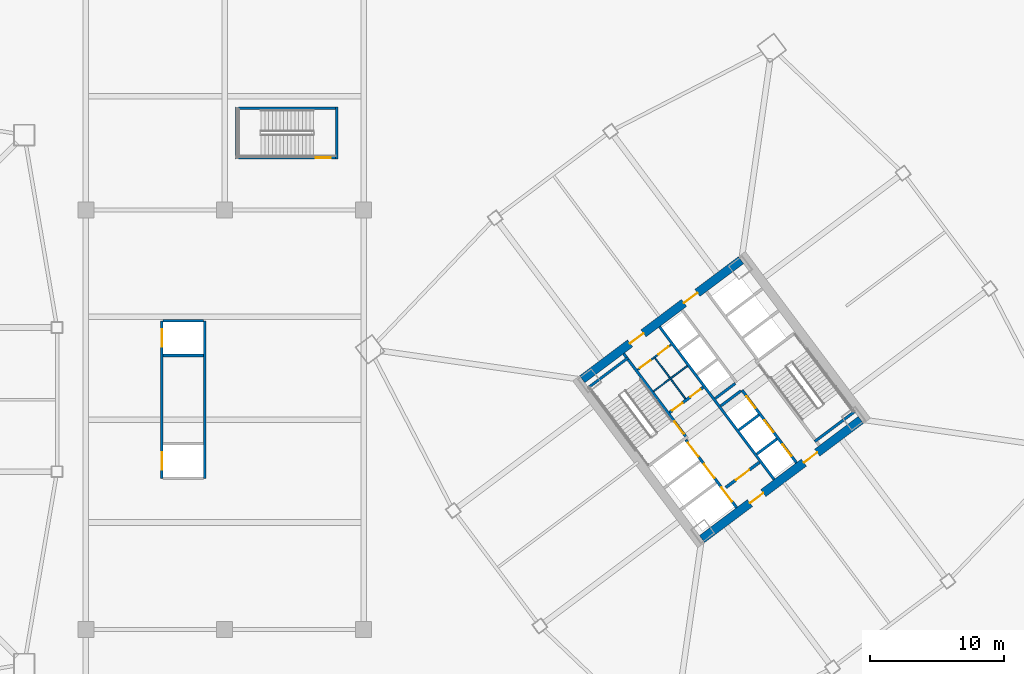
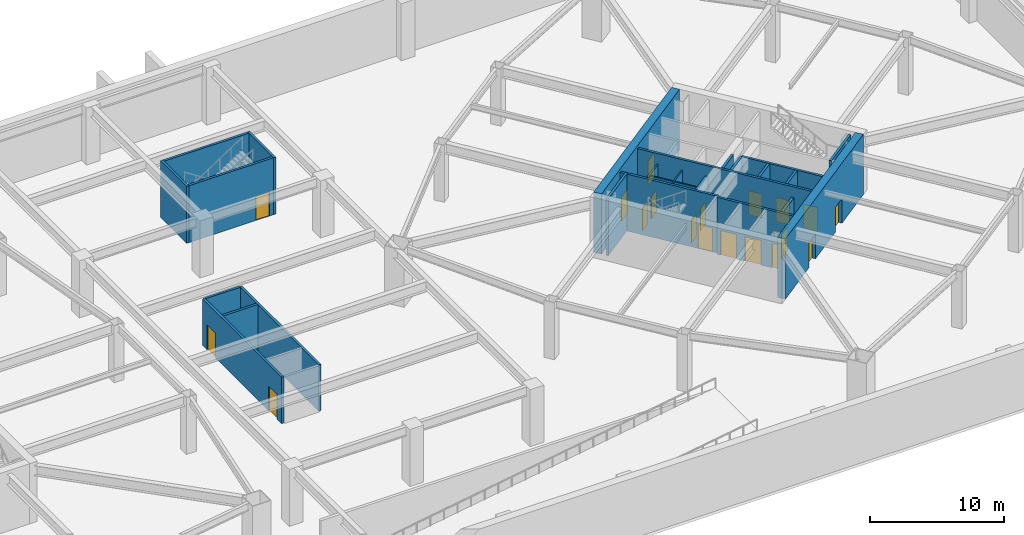
# One storey, part 10 of 17: 25 walls, 19 doors, 19 openings.
"""IFC4 building model written with IfcOpenShell, lengths in metres."""

from ifc_helpers import new_model, si_unit, direction, frame, frame_2d, origin, place, context, subcontext, project, spatial, rectangle, extrude, material, layer, layer_set, type_object, element, fill, save


model = new_model("IFC4")

# Units and contexts
model_context = context("Model", 3, precision=1e-05, world=origin(), true_north=direction((0.0, 1.0)))
body_context = subcontext(model_context, "Body", "Model", "MODEL_VIEW")
ifc_project = project(units=[si_unit("LENGTHUNIT", "METRE"), si_unit("AREAUNIT", "SQUARE_METRE"), si_unit("VOLUMEUNIT", "CUBIC_METRE"), si_unit("PLANEANGLEUNIT", "RADIAN"), si_unit("MASSUNIT", "GRAM", prefix="KILO")], contexts=[model_context])

# Site, building, storey
site_placement = place(None, origin())
site = spatial("IfcSite", under=ifc_project, at=site_placement, CompositionType="ELEMENT")
building_placement = place(site_placement, origin())
building = spatial("IfcBuilding", under=site, at=building_placement, Name="Tashvorn Skyway Center", CompositionType="ELEMENT")
storey_placement = place(building_placement, frame((0.0, 0.0, -5.5)))
storey = spatial("IfcBuildingStorey", under=building, at=storey_placement, Name="B1", CompositionType="ELEMENT", Elevation=-5.5)

# Wall, openings, doors
ifc_material_1 = material(Name="Concrete C60/75", Category="concrete")
ifc_layer_1 = layer(ifc_material_1, 0.64990234375)
ifc_layer_set_1 = layer_set([ifc_layer_1], Name="Concrete C60/75")
wall_type_1 = type_object("IfcWallType", Name="WALL-CORE-650", PredefinedType="SHEAR", material=ifc_layer_set_1)
wall_1_placement = place(storey_placement, frame((124.428955078125, 30.47802734375, 0.0), z_axis=(0.0, 0.0, 1.0), x_axis=(-0.799998028465, -0.600002628705, 0.0)))
wall_1 = element("IfcWall", 1, at=wall_1_placement, inside=storey, type_object=wall_type_1, Name="Tower 2 B1 South Core Shear Wall", PredefinedType="SHEAR", context=body_context, shape_type="SweptSolid", body=[
    extrude(rectangle(XDim=14.85986328125, YDim=0.64990234375, at=frame_2d((7.429931640625, 0.0))), origin(), (0.0, 0.0, 1.0), 5.5),
])
opening_1_placement = place(wall_1_placement, frame((9.1298828125, 0.0, 0.0)))
opening_1 = element("IfcOpeningElement", 2, at=opening_1_placement, cuts=wall_1, Name="Opening D-FFL-1250", PredefinedType="OPENING", context=body_context, shape_type="SweptSolid", body=[
    extrude(rectangle(XDim=1.25, YDim=2.25, at=frame_2d((0.625, 1.125))), frame((0.0, 0.3349609375, 0.0), z_axis=(0.0, -1.0, 0.0), x_axis=(1.0, 0.0, 0.0)), (0.0, 0.0, 1.0), 0.669921875),
])
opening_2_placement = place(wall_1_placement, frame((4.080078125, 0.0, 0.0)))
opening_2 = element("IfcOpeningElement", 3, at=opening_2_placement, cuts=wall_1, Name="Opening D-FFL-1250", PredefinedType="OPENING", context=body_context, shape_type="SweptSolid", body=[
    extrude(rectangle(XDim=1.25, YDim=2.25, at=frame_2d((0.625, 1.125))), frame((0.0, 0.3349609375, 0.0), z_axis=(0.0, -1.0, 0.0), x_axis=(1.0, 0.0, 0.0)), (0.0, 0.0, 1.0), 0.669921875),
])
ifc_material_2 = material(Name="Hollow galvanized steel fire door assembly", Category="steel")
door_type_1 = type_object("IfcDoorType", Name="DOOR-FFL-1250", OperationType="NOTDEFINED", PredefinedType="DOOR", material=ifc_material_2)
door_1_placement = place(opening_1_placement, origin())
door_1 = element("IfcDoor", 4, at=door_1_placement, inside=storey, type_object=door_type_1, Name="Tower 2 B1 Core South Firefighting Exit Door", OperationType="SINGLE_SWING_LEFT", OverallHeight=2.25, OverallWidth=1.25, PredefinedType="DOOR", context=body_context, shape_type="SweptSolid", body=[
    extrude(rectangle(XDim=1.25, YDim=2.25, at=frame_2d((0.625, 1.125))), frame((0.0, 0.02490234375, 0.0), z_axis=(0.0, -1.0, 0.0), x_axis=(1.0, 0.0, 0.0)), (0.0, 0.0, 1.0), 0.050048828125),
])
fill(opening_1, door_1)
door_2_placement = place(opening_2_placement, origin())
door_2 = element("IfcDoor", 5, at=door_2_placement, inside=storey, type_object=door_type_1, Name="Tower 2 B1 Core South Lift Lobby Door", OperationType="SINGLE_SWING_RIGHT", OverallHeight=2.25, OverallWidth=1.25, PredefinedType="DOOR", context=body_context, shape_type="SweptSolid", body=[
    extrude(rectangle(XDim=1.25, YDim=2.25, at=frame_2d((0.625, 1.125))), frame((0.0, 0.02490234375, 0.0), z_axis=(0.0, -1.0, 0.0), x_axis=(1.0, 0.0, 0.0)), (0.0, 0.0, 1.0), 0.050048828125),
])
fill(opening_2, door_2)

wall_2_placement = place(storey_placement, frame((103.571044921875, 33.52197265625, 0.0), z_axis=(0.0, 0.0, 1.0), x_axis=(0.799998028465, 0.600002628705, 0.0)))
wall_2 = element("IfcWall", 6, at=wall_2_placement, inside=storey, type_object=wall_type_1, Name="Tower 2 B1 North Core Shear Wall", PredefinedType="SHEAR", context=body_context, shape_type="SweptSolid", body=[
    extrude(rectangle(XDim=14.85986328125, YDim=0.64990234375, at=frame_2d((7.429931640625, 0.0))), origin(), (0.0, 0.0, 1.0), 5.5),
])
opening_3_placement = place(wall_2_placement, frame((4.47998046875, 0.0, 0.0)))
opening_3 = element("IfcOpeningElement", 7, at=opening_3_placement, cuts=wall_2, Name="Opening D-FFL-1250", PredefinedType="OPENING", context=body_context, shape_type="SweptSolid", body=[
    extrude(rectangle(XDim=1.25, YDim=2.25, at=frame_2d((0.625, 1.125))), frame((0.0, 0.3349609375, 0.0), z_axis=(0.0, -1.0, 0.0), x_axis=(1.0, 0.0, 0.0)), (0.0, 0.0, 1.0), 0.669921875),
])
opening_4_placement = place(wall_2_placement, frame((9.530029296875, 0.0, 0.0)))
opening_4 = element("IfcOpeningElement", 8, at=opening_4_placement, cuts=wall_2, Name="Opening D-FFL-1250", PredefinedType="OPENING", context=body_context, shape_type="SweptSolid", body=[
    extrude(rectangle(XDim=1.25, YDim=2.25, at=frame_2d((0.625, 1.125))), frame((0.0, 0.3349609375, 0.0), z_axis=(0.0, -1.0, 0.0), x_axis=(1.0, 0.0, 0.0)), (0.0, 0.0, 1.0), 0.669921875),
])
door_3_placement = place(opening_3_placement, origin())
door_3 = element("IfcDoor", 9, at=door_3_placement, inside=storey, type_object=door_type_1, Name="Tower 2 B1 Core North Service Lobby Door", OperationType="SINGLE_SWING_LEFT", OverallHeight=2.25, OverallWidth=1.25, PredefinedType="DOOR", context=body_context, shape_type="SweptSolid", body=[
    extrude(rectangle(XDim=1.25, YDim=2.25, at=frame_2d((0.625, 1.125))), frame((0.0, 0.02490234375, 0.0), z_axis=(0.0, -1.0, 0.0), x_axis=(1.0, 0.0, 0.0)), (0.0, 0.0, 1.0), 0.050048828125),
])
fill(opening_3, door_3)
door_4_placement = place(opening_4_placement, origin())
door_4 = element("IfcDoor", 10, at=door_4_placement, inside=storey, type_object=door_type_1, Name="Tower 2 B1 Core North Lift Lobby Door", OperationType="SINGLE_SWING_RIGHT", OverallHeight=2.25, OverallWidth=1.25, PredefinedType="DOOR", context=body_context, shape_type="SweptSolid", body=[
    extrude(rectangle(XDim=1.25, YDim=2.25, at=frame_2d((0.625, 1.125))), frame((0.0, 0.02490234375, 0.0), z_axis=(0.0, -1.0, 0.0), x_axis=(1.0, 0.0, 0.0)), (0.0, 0.0, 1.0), 0.050048828125),
])
fill(opening_4, door_4)

ifc_material_3 = material(Name="Concrete C40/50", Category="concrete")
ifc_layer_2 = layer(ifc_material_3, 0.219970703125)
ifc_layer_set_2 = layer_set([ifc_layer_2], Name="Concrete C40/50")
wall_type_2 = type_object("IfcWallType", Name="WALL-FFL-220", PredefinedType="SOLIDWALL", material=ifc_layer_set_2)
wall_3_placement = place(storey_placement, frame((110.10400390625, 31.028076171875, 0.0), z_axis=(0.0, 0.0, 1.0), x_axis=(0.800018601094, 0.59997519774, 0.0)))
wall_3 = element("IfcWall", 11, at=wall_3_placement, inside=storey, type_object=wall_type_2, Name="Tower 2 B1 Firefighting Lobby North Wall", PredefinedType="SOLIDWALL", context=body_context, shape_type="SweptSolid", body=[
    extrude(rectangle(XDim=3.14990234375, YDim=0.219970703125, at=frame_2d((1.574951171875, 0.0))), origin(), (0.0, 0.0, 1.0), 4.242919921875),
])
opening_5_placement = place(wall_3_placement, frame((0.25, 0.0, 0.0)))
opening_5 = element("IfcOpeningElement", 12, at=opening_5_placement, cuts=wall_3, Name="Opening D-RT-950", PredefinedType="OPENING", context=body_context, shape_type="SweptSolid", body=[
    extrude(rectangle(XDim=0.949951171875, YDim=2.050048828125, at=frame_2d((0.47509765625, 1.02490234375))), frame((0.0, 0.119873046875, 0.0), z_axis=(0.0, -1.0, 0.0), x_axis=(1.0, 0.0, 0.0)), (0.0, 0.0, 1.0), 0.239990234375),
])
opening_6_placement = place(wall_3_placement, frame((1.949951171875, 0.0, 0.0)))
opening_6 = element("IfcOpeningElement", 13, at=opening_6_placement, cuts=wall_3, Name="Opening D-RT-950", PredefinedType="OPENING", context=body_context, shape_type="SweptSolid", body=[
    extrude(rectangle(XDim=0.949951171875, YDim=2.050048828125, at=frame_2d((0.47509765625, 1.02490234375))), frame((0.0, 0.119873046875, 0.0), z_axis=(0.0, -1.0, 0.0), x_axis=(1.0, 0.0, 0.0)), (0.0, 0.0, 1.0), 0.239990234375),
])
door_type_2 = type_object("IfcDoorType", Name="DOOR-RATED-950", OperationType="NOTDEFINED", PredefinedType="DOOR", material=ifc_material_2)
door_5_placement = place(opening_5_placement, origin())
door_5 = element("IfcDoor", 14, at=door_5_placement, inside=storey, type_object=door_type_2, Name="Tower 2 B1 Core Mail Room Door", OperationType="SINGLE_SWING_LEFT", OverallHeight=2.050048828125, OverallWidth=0.949951171875, PredefinedType="DOOR", context=body_context, shape_type="SweptSolid", body=[
    extrude(rectangle(XDim=0.949951171875, YDim=2.050048828125, at=frame_2d((0.47509765625, 1.02490234375))), frame((0.0, 0.02490234375, 0.0), z_axis=(0.0, -1.0, 0.0), x_axis=(1.0, 0.0, 0.0)), (0.0, 0.0, 1.0), 0.050048828125),
])
fill(opening_5, door_5)
door_6_placement = place(opening_6_placement, origin())
door_6 = element("IfcDoor", 15, at=door_6_placement, inside=storey, type_object=door_type_2, Name="Tower 2 B1 Core Supply Closet Door", OperationType="SINGLE_SWING_RIGHT", OverallHeight=2.050048828125, OverallWidth=0.949951171875, PredefinedType="DOOR", context=body_context, shape_type="SweptSolid", body=[
    extrude(rectangle(XDim=0.949951171875, YDim=2.050048828125, at=frame_2d((0.47509765625, 1.02490234375))), frame((0.0, 0.02490234375, 0.0), z_axis=(0.0, -1.0, 0.0), x_axis=(1.0, 0.0, 0.0)), (0.0, 0.0, 1.0), 0.050048828125),
])
fill(opening_6, door_6)

# Wall, opening, door
wall_4_placement = place(storey_placement, frame((114.31591796875, 25.412109375, 0.0), z_axis=(0.0, 0.0, 1.0), x_axis=(0.800018601094, 0.59997519774, 0.0)))
wall_4 = element("IfcWall", 16, at=wall_4_placement, inside=storey, type_object=wall_type_2, Name="Tower 2 B1 Firefighting Lobby South Wall", PredefinedType="SOLIDWALL", context=body_context, shape_type="SweptSolid", body=[
    extrude(rectangle(XDim=3.14990234375, YDim=0.219970703125, at=frame_2d((1.574951171875, 0.0))), origin(), (0.0, 0.0, 1.0), 4.242919921875),
])
opening_7_placement = place(wall_4_placement, frame((0.949951171875, 0.0, 0.0)))
opening_7 = element("IfcOpeningElement", 17, at=opening_7_placement, cuts=wall_4, Name="Opening D-FFL-1250", PredefinedType="OPENING", context=body_context, shape_type="SweptSolid", body=[
    extrude(rectangle(XDim=1.25, YDim=2.25, at=frame_2d((0.625, 1.125))), frame((0.0, 0.119873046875, 0.0), z_axis=(0.0, -1.0, 0.0), x_axis=(1.0, 0.0, 0.0)), (0.0, 0.0, 1.0), 0.239990234375),
])
door_7_placement = place(opening_7_placement, origin())
door_7 = element("IfcDoor", 18, at=door_7_placement, inside=storey, type_object=door_type_1, Name="Tower 2 B1 Firefighting Lobby Egress Door", OperationType="SINGLE_SWING_LEFT", OverallHeight=2.25, OverallWidth=1.25, PredefinedType="DOOR", context=body_context, shape_type="SweptSolid", body=[
    extrude(rectangle(XDim=1.25, YDim=2.25, at=frame_2d((0.625, 1.125))), frame((0.0, 0.02490234375, 0.0), z_axis=(0.0, -1.0, 0.0), x_axis=(1.0, 0.0, 0.0)), (0.0, 0.0, 1.0), 0.050048828125),
])
fill(opening_7, door_7)

# Walls
ifc_material_4 = material(Name="Gypsum board on cold-formed steel stud framing", Category="steel")
ifc_layer_3 = layer(ifc_material_4, 0.110107421875)
ifc_layer_set_3 = layer_set([ifc_layer_3], Name="Gypsum board on cold-formed steel stud framing")
wall_type_3 = type_object("IfcWallType", Name="WALL-RATED-110", PredefinedType="PARTITIONING", material=ifc_layer_set_3)
wall_5_placement = place(storey_placement, frame((111.2958984375, 32.072021484375, 0.0), z_axis=(0.0, 0.0, 1.0), x_axis=(-0.59995887973, 0.800030838552, 0.0)))
element("IfcWall", 19, at=wall_5_placement, inside=storey, type_object=wall_type_3, Name="Tower 2 B1 Core Cross Vertical", PredefinedType="PARTITIONING", context=body_context, shape_type="SweptSolid", body=[
    extrude(rectangle(XDim=3.7998046875, YDim=0.110107421875, at=frame_2d((1.89990234375, 0.0))), origin(), (0.0, 0.0, 1.0), 4.242919921875),
])
wall_6_placement = place(storey_placement, frame((108.909912109375, 32.6201171875, 0.0), z_axis=(0.0, 0.0, 1.0), x_axis=(0.800018601094, 0.59997519774, 0.0)))
element("IfcWall", 20, at=wall_6_placement, inside=storey, type_object=wall_type_3, Name="Tower 2 B1 Core Cross Horizontal", PredefinedType="PARTITIONING", context=body_context, shape_type="SweptSolid", body=[
    extrude(rectangle(XDim=3.14990234375, YDim=0.110107421875, at=frame_2d((1.574951171875, 0.0))), origin(), (0.0, 0.0, 1.0), 4.242919921875),
])

# Wall, openings, doors
ifc_layer_4 = layer(ifc_material_4, 0.135009765625)
ifc_layer_set_4 = layer_set([ifc_layer_4], Name="Gypsum board on cold-formed steel stud framing")
wall_type_4 = type_object("IfcWallType", Name="WALL-RATED-135", PredefinedType="PARTITIONING", material=ifc_layer_set_4)
wall_7_placement = place(storey_placement, frame((107.7099609375, 34.219970703125, 0.0), z_axis=(0.0, 0.0, 1.0), x_axis=(0.799981399002, 0.60002480053, 0.0)))
wall_7 = element("IfcWall", 21, at=wall_7_placement, inside=storey, type_object=wall_type_4, Name="Tower 2 B1 Core Service Lobby Wall", PredefinedType="PARTITIONING", context=body_context, shape_type="SweptSolid", body=[
    extrude(rectangle(XDim=3.150146484375, YDim=0.135009765625, at=frame_2d((1.5751953125, 0.0))), origin(), (0.0, 0.0, 1.0), 4.242919921875),
])
opening_8_placement = place(wall_7_placement, frame((0.25, 0.0, 0.0)))
opening_8 = element("IfcOpeningElement", 22, at=opening_8_placement, cuts=wall_7, Name="Opening D-RT-950", PredefinedType="OPENING", context=body_context, shape_type="SweptSolid", body=[
    extrude(rectangle(XDim=0.949951171875, YDim=2.050048828125, at=frame_2d((0.47509765625, 1.02490234375))), frame((0.0, 0.077392578125, 0.0), z_axis=(0.0, -1.0, 0.0), x_axis=(1.0, 0.0, 0.0)), (0.0, 0.0, 1.0), 0.155029296875),
])
opening_9_placement = place(wall_7_placement, frame((1.949951171875, 0.0, 0.0)))
opening_9 = element("IfcOpeningElement", 23, at=opening_9_placement, cuts=wall_7, Name="Opening D-RT-950", PredefinedType="OPENING", context=body_context, shape_type="SweptSolid", body=[
    extrude(rectangle(XDim=0.949951171875, YDim=2.050048828125, at=frame_2d((0.47509765625, 1.02490234375))), frame((0.0, 0.077392578125, 0.0), z_axis=(0.0, -1.0, 0.0), x_axis=(1.0, 0.0, 0.0)), (0.0, 0.0, 1.0), 0.155029296875),
])
door_8_placement = place(opening_8_placement, origin())
door_8 = element("IfcDoor", 24, at=door_8_placement, inside=storey, type_object=door_type_2, Name="Tower 2 B1 Core Cleaner Store Door", OperationType="SINGLE_SWING_LEFT", OverallHeight=2.050048828125, OverallWidth=0.949951171875, PredefinedType="DOOR", context=body_context, shape_type="SweptSolid", body=[
    extrude(rectangle(XDim=0.949951171875, YDim=2.050048828125, at=frame_2d((0.47509765625, 1.02490234375))), frame((0.0, 0.02490234375, 0.0), z_axis=(0.0, -1.0, 0.0), x_axis=(1.0, 0.0, 0.0)), (0.0, 0.0, 1.0), 0.050048828125),
])
fill(opening_8, door_8)
door_9_placement = place(opening_9_placement, origin())
door_9 = element("IfcDoor", 25, at=door_9_placement, inside=storey, type_object=door_type_2, Name="Tower 2 B1 Core Accessible WC Door", OperationType="SINGLE_SWING_RIGHT", OverallHeight=2.050048828125, OverallWidth=0.949951171875, PredefinedType="DOOR", context=body_context, shape_type="SweptSolid", body=[
    extrude(rectangle(XDim=0.949951171875, YDim=2.050048828125, at=frame_2d((0.47509765625, 1.02490234375))), frame((0.0, 0.02490234375, 0.0), z_axis=(0.0, -1.0, 0.0), x_axis=(1.0, 0.0, 0.0)), (0.0, 0.0, 1.0), 0.050048828125),
])
fill(opening_9, door_9)

ifc_layer_5 = layer(ifc_material_3, 0.199951171875)
ifc_layer_set_5 = layer_set([ifc_layer_5], Name="Concrete C40/50")
wall_type_5 = type_object("IfcWallType", Name="WALL-SHAFT-200", PredefinedType="SOLIDWALL", material=ifc_layer_set_5)
wall_8_placement = place(storey_placement, frame((119.610107421875, 27.27001953125, 0.0), z_axis=(0.0, 0.0, 1.0), x_axis=(-0.600011488909, 0.79999138319, 0.0)))
wall_8 = element("IfcWall", 26, at=wall_8_placement, inside=storey, type_object=wall_type_5, Name="Tower 2 B1 Low-Rise Core Wall", PredefinedType="SOLIDWALL", context=body_context, shape_type="SweptSolid", body=[
    extrude(rectangle(XDim=6.800048828125, YDim=0.199951171875, at=frame_2d((3.39990234375, 0.0))), origin(), (0.0, 0.0, 1.0), 5.199951171875),
])
opening_10_placement = place(wall_8_placement, frame((0.625, 0.0, 0.0)))
opening_10 = element("IfcOpeningElement", 27, at=opening_10_placement, cuts=wall_8, Name="Opening LD-LR-T2-1-B1", PredefinedType="OPENING", context=body_context, shape_type="SweptSolid", body=[
    extrude(rectangle(XDim=1.10009765625, YDim=2.199951171875, at=frame_2d((0.550048828125, 1.10009765625))), frame((0.0, 0.10986328125, 0.0), z_axis=(0.0, -1.0, 0.0), x_axis=(1.0, 0.0, 0.0)), (0.0, 0.0, 1.0), 0.219970703125),
])
opening_11_placement = place(wall_8_placement, frame((2.875, 0.0, 0.0)))
opening_11 = element("IfcOpeningElement", 28, at=opening_11_placement, cuts=wall_8, Name="Opening LD-LR-T2-2-B1", PredefinedType="OPENING", context=body_context, shape_type="SweptSolid", body=[
    extrude(rectangle(XDim=1.10009765625, YDim=2.199951171875, at=frame_2d((0.550048828125, 1.10009765625))), frame((0.0, 0.10986328125, 0.0), z_axis=(0.0, -1.0, 0.0), x_axis=(1.0, 0.0, 0.0)), (0.0, 0.0, 1.0), 0.219970703125),
])
opening_12_placement = place(wall_8_placement, frame((5.125, 0.0, 0.0)))
opening_12 = element("IfcOpeningElement", 29, at=opening_12_placement, cuts=wall_8, Name="Opening LD-LR-T2-3-B1", PredefinedType="OPENING", context=body_context, shape_type="SweptSolid", body=[
    extrude(rectangle(XDim=1.10009765625, YDim=2.199951171875, at=frame_2d((0.550048828125, 1.10009765625))), frame((0.0, 0.10986328125, 0.0), z_axis=(0.0, -1.0, 0.0), x_axis=(1.0, 0.0, 0.0)), (0.0, 0.0, 1.0), 0.219970703125),
])
ifc_material_5 = material(Name="Stainless steel landing door", Category="steel")
door_type_3 = type_object("IfcDoorType", Name="DOOR-LIFT-1100", OperationType="SLIDING_TO_LEFT", PredefinedType="DOOR", material=ifc_material_5)
door_10_placement = place(opening_10_placement, origin())
door_10 = element("IfcDoor", 30, at=door_10_placement, inside=storey, type_object=door_type_3, Name="Lift LR-T2-1 B1 Landing Door", OperationType="SLIDING_TO_LEFT", OverallHeight=2.199951171875, OverallWidth=1.10009765625, PredefinedType="DOOR", context=body_context, shape_type="SweptSolid", body=[
    extrude(rectangle(XDim=1.10009765625, YDim=2.199951171875, at=frame_2d((0.550048828125, 1.10009765625))), frame((0.0, 0.02490234375, 0.0), z_axis=(0.0, -1.0, 0.0), x_axis=(1.0, 0.0, 0.0)), (0.0, 0.0, 1.0), 0.050048828125),
])
fill(opening_10, door_10)
door_11_placement = place(opening_11_placement, origin())
door_11 = element("IfcDoor", 31, at=door_11_placement, inside=storey, type_object=door_type_3, Name="Lift LR-T2-2 B1 Landing Door", OperationType="SLIDING_TO_LEFT", OverallHeight=2.199951171875, OverallWidth=1.10009765625, PredefinedType="DOOR", context=body_context, shape_type="SweptSolid", body=[
    extrude(rectangle(XDim=1.10009765625, YDim=2.199951171875, at=frame_2d((0.550048828125, 1.10009765625))), frame((0.0, 0.02490234375, 0.0), z_axis=(0.0, -1.0, 0.0), x_axis=(1.0, 0.0, 0.0)), (0.0, 0.0, 1.0), 0.050048828125),
])
fill(opening_11, door_11)
door_12_placement = place(opening_12_placement, origin())
door_12 = element("IfcDoor", 32, at=door_12_placement, inside=storey, type_object=door_type_3, Name="Lift LR-T2-3 B1 Landing Door", OperationType="SLIDING_TO_LEFT", OverallHeight=2.199951171875, OverallWidth=1.10009765625, PredefinedType="DOOR", context=body_context, shape_type="SweptSolid", body=[
    extrude(rectangle(XDim=1.10009765625, YDim=2.199951171875, at=frame_2d((0.550048828125, 1.10009765625))), frame((0.0, 0.02490234375, 0.0), z_axis=(0.0, -1.0, 0.0), x_axis=(1.0, 0.0, 0.0)), (0.0, 0.0, 1.0), 0.050048828125),
])
fill(opening_12, door_12)

# Walls
wall_9_placement = place(storey_placement, frame((116.64599609375, 27.922119140625, 0.0), z_axis=(0.0, 0.0, 1.0), x_axis=(0.8, 0.6, 0.0)))
element("IfcWall", 33, at=wall_9_placement, inside=storey, type_object=wall_type_5, Name="Tower 2 B1 Low-Rise Shaft Divider", PredefinedType="SOLIDWALL", context=body_context, shape_type="SweptSolid", body=[
    extrude(rectangle(XDim=1.8798828125, YDim=0.199951171875, at=frame_2d((0.93994140625, 0.0))), origin(), (0.0, 0.0, 1.0), 5.199951171875),
])
wall_10_placement = place(storey_placement, frame((115.2958984375, 29.721923828125, 0.0), z_axis=(0.0, 0.0, 1.0), x_axis=(0.799984418148, 0.600020775241, 0.0)))
element("IfcWall", 34, at=wall_10_placement, inside=storey, type_object=wall_type_5, Name="Tower 2 B1 Low-Rise Shaft Divider", PredefinedType="SOLIDWALL", context=body_context, shape_type="SweptSolid", body=[
    extrude(rectangle(XDim=1.880126953125, YDim=0.199951171875, at=frame_2d((0.93994140625, 0.0))), origin(), (0.0, 0.0, 1.0), 5.199951171875),
])
wall_11_placement = place(storey_placement, frame((113.946044921875, 31.52197265625, 0.0), z_axis=(0.0, 0.0, 1.0), x_axis=(0.8, 0.6, 0.0)))
element("IfcWall", 35, at=wall_11_placement, inside=storey, type_object=wall_type_5, Name="Tower 2 B1 Low-Rise Shaft Divider", PredefinedType="SOLIDWALL", context=body_context, shape_type="SweptSolid", body=[
    extrude(rectangle(XDim=1.8798828125, YDim=0.199951171875, at=frame_2d((0.93994140625, 0.0))), origin(), (0.0, 0.0, 1.0), 5.199951171875),
])
wall_12_placement = place(storey_placement, frame((113.52587890625, 32.08203125, 0.0), z_axis=(0.0, 0.0, 1.0), x_axis=(0.800046745961, 0.599937666993, 0.0)))
element("IfcWall", 36, at=wall_12_placement, inside=storey, type_object=wall_type_5, Name="Tower 2 B1 Mid-Rise Shaft Divider", PredefinedType="SOLIDWALL", context=body_context, shape_type="SweptSolid", body=[
    extrude(rectangle(XDim=1.880126953125, YDim=0.199951171875, at=frame_2d((0.93994140625, 0.0))), origin(), (0.0, 0.0, 1.0), 5.199951171875),
])

# Wall, openings, doors
wall_13_placement = place(storey_placement, frame((72.10009765625, 26.10009765625, 0.0), z_axis=(0.0, 0.0, 1.0), x_axis=(0.0, 1.0, 0.0)))
wall_13 = element("IfcWall", 37, at=wall_13_placement, inside=storey, type_object=wall_type_5, Name="B1 Station Lift Front Wall", PredefinedType="SOLIDWALL", context=body_context, shape_type="SweptSolid", body=[
    extrude(rectangle(XDim=11.7998046875, YDim=0.199951171875, at=frame_2d((5.89990234375, 0.0))), origin(), (0.0, 0.0, 1.0), 4.242919921875),
])
opening_13_placement = place(wall_13_placement, frame((0.64990234375, 0.0, 0.0)))
opening_13 = element("IfcOpeningElement", 38, at=opening_13_placement, cuts=wall_13, Name="Opening LD-STN-L1-B1", PredefinedType="OPENING", context=body_context, shape_type="SweptSolid", body=[
    extrude(rectangle(XDim=1.300048828125, YDim=2.25, at=frame_2d((0.64990234375, 1.125))), frame((0.0, 0.10986328125, 0.0), z_axis=(0.0, -1.0, 0.0), x_axis=(1.0, 0.0, 0.0)), (0.0, 0.0, 1.0), 0.219970703125),
])
opening_14_placement = place(wall_13_placement, frame((9.85009765625, 0.0, 0.0)))
opening_14 = element("IfcOpeningElement", 39, at=opening_14_placement, cuts=wall_13, Name="Opening LD-STN-L2-B1", PredefinedType="OPENING", context=body_context, shape_type="SweptSolid", body=[
    extrude(rectangle(XDim=1.300048828125, YDim=2.25, at=frame_2d((0.64990234375, 1.125))), frame((0.0, 0.10986328125, 0.0), z_axis=(0.0, -1.0, 0.0), x_axis=(1.0, 0.0, 0.0)), (0.0, 0.0, 1.0), 0.219970703125),
])
ifc_material_6 = material(Name="Stainless steel heavy-duty landing door", Category="steel")
door_type_4 = type_object("IfcDoorType", Name="DOOR-LIFT-1300", OperationType="SLIDING_TO_LEFT", PredefinedType="DOOR", material=ifc_material_6)
door_13_placement = place(opening_13_placement, origin())
door_13 = element("IfcDoor", 40, at=door_13_placement, inside=storey, type_object=door_type_4, Name="Station Lift STN-L1 B1 Landing Door", OperationType="SLIDING_TO_LEFT", OverallHeight=2.25, OverallWidth=1.300048828125, PredefinedType="DOOR", context=body_context, shape_type="SweptSolid", body=[
    extrude(rectangle(XDim=1.300048828125, YDim=2.25, at=frame_2d((0.64990234375, 1.125))), frame((0.0, 0.02490234375, 0.0), z_axis=(0.0, -1.0, 0.0), x_axis=(1.0, 0.0, 0.0)), (0.0, 0.0, 1.0), 0.050048828125),
])
fill(opening_13, door_13)
door_14_placement = place(opening_14_placement, origin())
door_14 = element("IfcDoor", 41, at=door_14_placement, inside=storey, type_object=door_type_4, Name="Station Lift STN-L2 B1 Landing Door", OperationType="SLIDING_TO_LEFT", OverallHeight=2.25, OverallWidth=1.300048828125, PredefinedType="DOOR", context=body_context, shape_type="SweptSolid", body=[
    extrude(rectangle(XDim=1.300048828125, YDim=2.25, at=frame_2d((0.64990234375, 1.125))), frame((0.0, 0.02490234375, 0.0), z_axis=(0.0, -1.0, 0.0), x_axis=(1.0, 0.0, 0.0)), (0.0, 0.0, 1.0), 0.050048828125),
])
fill(opening_14, door_14)

# Walls
wall_14_placement = place(storey_placement, frame((75.300048828125, 26.10009765625, 0.0), z_axis=(0.0, 0.0, 1.0), x_axis=(0.0, 1.0, 0.0)))
element("IfcWall", 42, at=wall_14_placement, inside=storey, type_object=wall_type_5, Name="B1 Station Lift Rear Wall", PredefinedType="SOLIDWALL", context=body_context, shape_type="SweptSolid", body=[
    extrude(rectangle(XDim=11.7998046875, YDim=0.199951171875, at=frame_2d((5.89990234375, 0.0))), origin(), (0.0, 0.0, 1.0), 4.242919921875),
])
for number, where, z_axis, x_axis, name in (
    (43, (72.199951171875, 35.300048828125, 0.0), (0.0, 0.0, 1.0), (1.0, 0.0, 0.0), "B1 Station Lift Divider"),
    (44, (72.199951171875, 37.89990234375, 0.0), (0.0, 0.0, 1.0), (1.0, 0.0, 0.0), "B1 Station Lift Divider"),
):
    element("IfcWall", number, at=place(storey_placement, frame(where, z_axis=z_axis, x_axis=x_axis)), inside=storey, type_object=wall_type_5, Name=name, PredefinedType="SOLIDWALL", context=body_context, shape_type="SweptSolid", body=[
        extrude(rectangle(XDim=3.0, YDim=0.199951171875, at=frame_2d((1.5, 0.0))), origin(), (0.0, 0.0, 1.0), 4.242919921875),
    ])

# Wall, opening, door
ifc_layer_6 = layer(ifc_material_3, 0.199951171875)
ifc_layer_set_6 = layer_set([ifc_layer_6], Name="Concrete C40/50")
wall_type_6 = type_object("IfcWallType", Name="WALL-STSHF-200", PredefinedType="SHEAR", material=ifc_layer_set_6)
wall_15_placement = place(storey_placement, frame((111.43994140625, 29.080078125, 0.0), z_axis=(0.0, 0.0, 1.0), x_axis=(-0.600009827119, 0.799992629566, 0.0)))
wall_15 = element("IfcWall", 45, at=wall_15_placement, inside=storey, type_object=wall_type_6, Name="Tower 2 B1 Stair 1 Enclosure Wall", PredefinedType="SHEAR", context=body_context, shape_type="SweptSolid", body=[
    extrude(rectangle(XDim=7.949951171875, YDim=0.199951171875, at=frame_2d((3.97509765625, 0.0))), origin(), (0.0, 0.0, 1.0), 5.199951171875),
])
opening_15_placement = place(wall_15_placement, frame((0.449951171875, 0.0, 0.0)))
opening_15 = element("IfcOpeningElement", 46, at=opening_15_placement, cuts=wall_15, Name="Opening D-ST-1150", PredefinedType="OPENING", context=body_context, shape_type="SweptSolid", body=[
    extrude(rectangle(XDim=1.14990234375, YDim=2.199951171875, at=frame_2d((0.574951171875, 1.10009765625))), frame((0.0, 0.10986328125, 0.0), z_axis=(0.0, -1.0, 0.0), x_axis=(1.0, 0.0, 0.0)), (0.0, 0.0, 1.0), 0.219970703125),
])
door_type_5 = type_object("IfcDoorType", Name="DOOR-STAIR-1150", OperationType="NOTDEFINED", PredefinedType="DOOR", material=ifc_material_2)
door_15_placement = place(opening_15_placement, origin())
door_15 = element("IfcDoor", 47, at=door_15_placement, inside=storey, type_object=door_type_5, Name="Tower 2 B1 Exit Stair 1 Door", OperationType="SINGLE_SWING_RIGHT", OverallHeight=2.199951171875, OverallWidth=1.14990234375, PredefinedType="DOOR", context=body_context, shape_type="SweptSolid", body=[
    extrude(rectangle(XDim=1.14990234375, YDim=2.199951171875, at=frame_2d((0.574951171875, 1.10009765625))), frame((0.0, 0.02490234375, 0.0), z_axis=(0.0, -1.0, 0.0), x_axis=(1.0, 0.0, 0.0)), (0.0, 0.0, 1.0), 0.050048828125),
])
fill(opening_15, door_15)

# Walls
for number, where, z_axis, x_axis, name in (
    (48, (104.035888671875, 32.902099609375, 0.0), (0.0, 0.0, 1.0), (0.800039270442, 0.59994763584, 0.0), "Tower 2 B1 Stair 1 North Wall"),
    (49, (120.97998046875, 28.860107421875, 0.0), (0.0, 0.0, 1.0), (0.800039270442, 0.59994763584, 0.0), "Tower 2 B1 Stair 2 South Wall"),
):
    element("IfcWall", number, at=place(storey_placement, frame(where, z_axis=z_axis, x_axis=x_axis)), inside=storey, type_object=wall_type_6, Name=name, PredefinedType="SHEAR", context=body_context, shape_type="SweptSolid", body=[
        extrude(rectangle(XDim=3.72998046875, YDim=0.199951171875, at=frame_2d((1.864990234375, 0.0))), origin(), (0.0, 0.0, 1.0), 5.199951171875),
    ])
wall_16_placement = place(storey_placement, frame((117.93798828125, 26.01611328125, 0.0), z_axis=(0.0, 0.0, 1.0), x_axis=(-0.600005463273, 0.799995902516, 0.0)))
element("IfcWall", 50, at=wall_16_placement, inside=storey, type_object=wall_type_6, Name="Tower 2 B1 Firefighting Lobby East Smoke Barrier", PredefinedType="SHEAR", context=body_context, shape_type="SweptSolid", body=[
    extrude(rectangle(XDim=14.300048828125, YDim=0.199951171875, at=frame_2d((7.14990234375, 0.0))), origin(), (0.0, 0.0, 1.0), 5.199951171875),
])

# Wall, openings, doors
wall_17_placement = place(storey_placement, frame((115.1298828125, 23.909912109375, 0.0), z_axis=(0.0, 0.0, 1.0), x_axis=(-0.599975393228, 0.800018454488, 0.0)))
wall_17 = element("IfcWall", 51, at=wall_17_placement, inside=storey, type_object=wall_type_6, Name="Tower 2 B1 FSAE and Goods Shaft Front Wall", PredefinedType="SHEAR", context=body_context, shape_type="SweptSolid", body=[
    extrude(rectangle(XDim=6.349853515625, YDim=0.199951171875, at=frame_2d((3.1748046875, 0.0))), origin(), (0.0, 0.0, 1.0), 5.199951171875),
])
opening_16_placement = place(wall_17_placement, frame((4.77490234375, 0.0, 0.0)))
opening_16 = element("IfcOpeningElement", 52, at=opening_16_placement, cuts=wall_17, Name="Opening LD-FF-T2-1-B1", PredefinedType="OPENING", context=body_context, shape_type="SweptSolid", body=[
    extrude(rectangle(XDim=1.300048828125, YDim=2.25, at=frame_2d((0.64990234375, 1.125))), frame((0.0, 0.10986328125, 0.0), z_axis=(0.0, -1.0, 0.0), x_axis=(1.0, 0.0, 0.0)), (0.0, 0.0, 1.0), 0.219970703125),
])
opening_17_placement = place(wall_17_placement, frame((2.77490234375, 0.0, 0.0)))
opening_17 = element("IfcOpeningElement", 53, at=opening_17_placement, cuts=wall_17, Name="Opening LD-FF-T2-2-B1", PredefinedType="OPENING", context=body_context, shape_type="SweptSolid", body=[
    extrude(rectangle(XDim=1.300048828125, YDim=2.25, at=frame_2d((0.64990234375, 1.125))), frame((0.0, 0.10986328125, 0.0), z_axis=(0.0, -1.0, 0.0), x_axis=(1.0, 0.0, 0.0)), (0.0, 0.0, 1.0), 0.219970703125),
])
opening_18_placement = place(wall_17_placement, frame((0.574951171875, 0.0, 0.0)))
opening_18 = element("IfcOpeningElement", 54, at=opening_18_placement, cuts=wall_17, Name="Opening LD-GD-T2-1-B1", PredefinedType="OPENING", context=body_context, shape_type="SweptSolid", body=[
    extrude(rectangle(XDim=1.300048828125, YDim=2.25, at=frame_2d((0.64990234375, 1.125))), frame((0.0, 0.10986328125, 0.0), z_axis=(0.0, -1.0, 0.0), x_axis=(1.0, 0.0, 0.0)), (0.0, 0.0, 1.0), 0.219970703125),
])
door_16_placement = place(opening_16_placement, origin())
door_16 = element("IfcDoor", 55, at=door_16_placement, inside=storey, type_object=door_type_4, Name="Lift FF-T2-1 B1 Landing Door", OperationType="SLIDING_TO_LEFT", OverallHeight=2.25, OverallWidth=1.300048828125, PredefinedType="DOOR", context=body_context, shape_type="SweptSolid", body=[
    extrude(rectangle(XDim=1.300048828125, YDim=2.25, at=frame_2d((0.64990234375, 1.125))), frame((0.0, 0.02490234375, 0.0), z_axis=(0.0, -1.0, 0.0), x_axis=(1.0, 0.0, 0.0)), (0.0, 0.0, 1.0), 0.050048828125),
])
fill(opening_16, door_16)
door_17_placement = place(opening_17_placement, origin())
door_17 = element("IfcDoor", 56, at=door_17_placement, inside=storey, type_object=door_type_4, Name="Lift FF-T2-2 B1 Landing Door", OperationType="SLIDING_TO_LEFT", OverallHeight=2.25, OverallWidth=1.300048828125, PredefinedType="DOOR", context=body_context, shape_type="SweptSolid", body=[
    extrude(rectangle(XDim=1.300048828125, YDim=2.25, at=frame_2d((0.64990234375, 1.125))), frame((0.0, 0.02490234375, 0.0), z_axis=(0.0, -1.0, 0.0), x_axis=(1.0, 0.0, 0.0)), (0.0, 0.0, 1.0), 0.050048828125),
])
fill(opening_17, door_17)
door_18_placement = place(opening_18_placement, origin())
door_18 = element("IfcDoor", 57, at=door_18_placement, inside=storey, type_object=door_type_4, Name="Lift GD-T2-1 B1 Landing Door", OperationType="SLIDING_TO_LEFT", OverallHeight=2.25, OverallWidth=1.300048828125, PredefinedType="DOOR", context=body_context, shape_type="SweptSolid", body=[
    extrude(rectangle(XDim=1.300048828125, YDim=2.25, at=frame_2d((0.64990234375, 1.125))), frame((0.0, 0.02490234375, 0.0), z_axis=(0.0, -1.0, 0.0), x_axis=(1.0, 0.0, 0.0)), (0.0, 0.0, 1.0), 0.050048828125),
])
fill(opening_18, door_18)

# Wall, opening, door
wall_18_placement = place(storey_placement, frame((77.60009765625, 50.10009765625, 0.0), z_axis=(0.0, 0.0, 1.0), x_axis=(1.0, 0.0, 0.0)))
wall_18 = element("IfcWall", 58, at=wall_18_placement, inside=storey, type_object=wall_type_6, Name="B1 Podium Stair 2 South Wall", PredefinedType="SHEAR", context=body_context, shape_type="SweptSolid", body=[
    extrude(rectangle(XDim=7.699951171875, YDim=0.199951171875, at=frame_2d((3.85009765625, 0.0))), origin(), (0.0, 0.0, 1.0), 5.199951171875),
])
opening_19_placement = place(wall_18_placement, frame((6.0, 0.0, 0.0)))
opening_19 = element("IfcOpeningElement", 59, at=opening_19_placement, cuts=wall_18, Name="Opening D-ST-1150", PredefinedType="OPENING", context=body_context, shape_type="SweptSolid", body=[
    extrude(rectangle(XDim=1.14990234375, YDim=2.199951171875, at=frame_2d((0.574951171875, 1.10009765625))), frame((0.0, 0.10986328125, 0.0), z_axis=(0.0, -1.0, 0.0), x_axis=(1.0, 0.0, 0.0)), (0.0, 0.0, 1.0), 0.219970703125),
])
door_19_placement = place(opening_19_placement, origin())
door_19 = element("IfcDoor", 60, at=door_19_placement, inside=storey, type_object=door_type_5, Name="B1 Podium Stair 2 Door", OperationType="SINGLE_SWING_RIGHT", OverallHeight=2.199951171875, OverallWidth=1.14990234375, PredefinedType="DOOR", context=body_context, shape_type="SweptSolid", body=[
    extrude(rectangle(XDim=1.14990234375, YDim=2.199951171875, at=frame_2d((0.574951171875, 1.10009765625))), frame((0.0, 0.02490234375, 0.0), z_axis=(0.0, -1.0, 0.0), x_axis=(1.0, 0.0, 0.0)), (0.0, 0.0, 1.0), 0.050048828125),
])
fill(opening_19, door_19)

# Walls
wall_19_placement = place(storey_placement, frame((77.60009765625, 53.800048828125, 0.0), z_axis=(0.0, 0.0, 1.0), x_axis=(1.0, 0.0, 0.0)))
element("IfcWall", 61, at=wall_19_placement, inside=storey, type_object=wall_type_6, Name="B1 Podium Stair 2 North Wall", PredefinedType="SHEAR", context=body_context, shape_type="SweptSolid", body=[
    extrude(rectangle(XDim=7.699951171875, YDim=0.199951171875, at=frame_2d((3.85009765625, 0.0))), origin(), (0.0, 0.0, 1.0), 5.199951171875),
])
for number, where, z_axis, x_axis, name in (
    (62, (77.699951171875, 50.0, 0.0), (0.0, 0.0, 1.0), (0.0, 1.0, 0.0), "B1 Podium Stair 2 West Wall"),
    (63, (85.199951171875, 50.0, 0.0), (0.0, 0.0, 1.0), (0.0, 1.0, 0.0), "B1 Podium Stair 2 East Wall"),
):
    element("IfcWall", number, at=place(storey_placement, frame(where, z_axis=z_axis, x_axis=x_axis)), inside=storey, type_object=wall_type_6, Name=name, PredefinedType="SHEAR", context=body_context, shape_type="SweptSolid", body=[
        extrude(rectangle(XDim=3.89990234375, YDim=0.199951171875, at=frame_2d((1.949951171875, 0.0))), origin(), (0.0, 0.0, 1.0), 5.199951171875),
    ])

save(model, "model.ifc")
